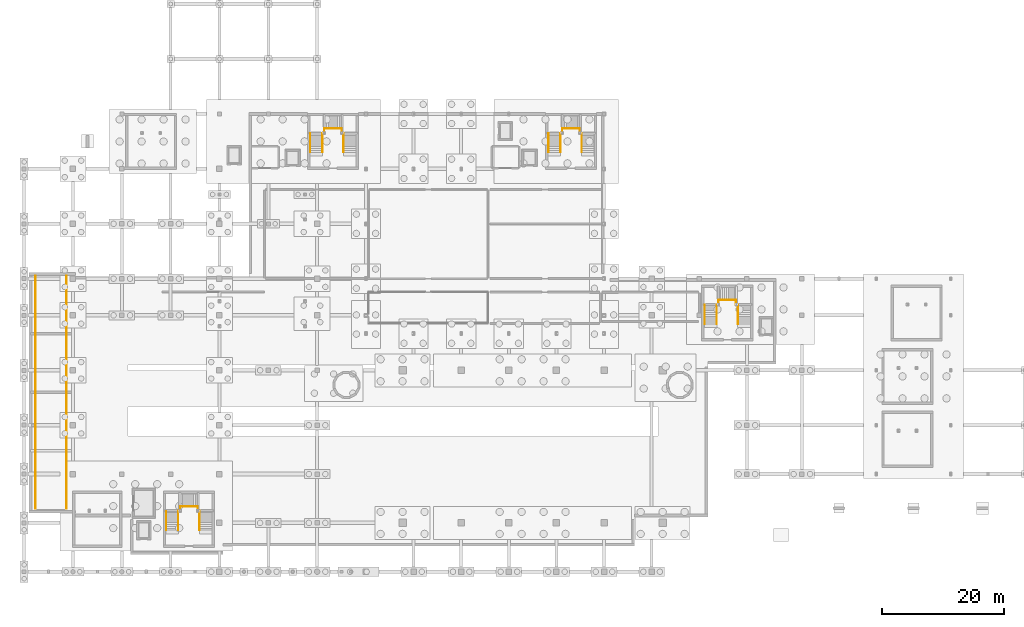
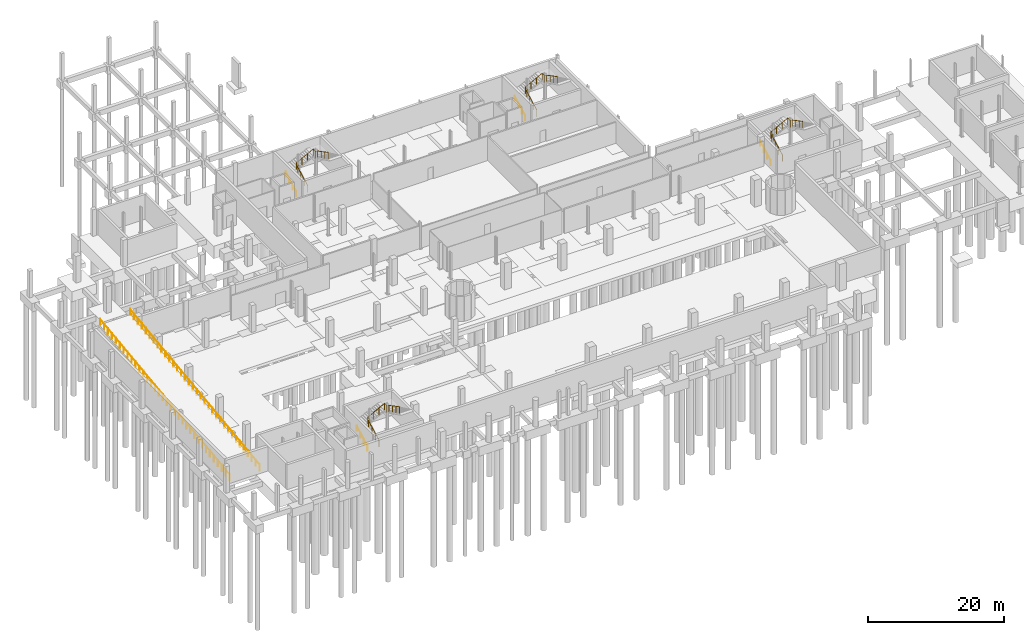
# One storey, part 31 of 32: 10 railings.
"""IFC4 building model written with IfcOpenShell, lengths in metres."""

from ifc_helpers import new_model, si_unit, derived_unit, direction, frame, origin, origin_2d, place, context, subcontext, project, spatial, circle, extrude, material, type_object, element, save


model = new_model("IFC4")

# Units and contexts
model_context = context("Model", 3, precision=1e-05, world=origin(), true_north=direction((0.0, 1.0)))
body_context = subcontext(model_context, "Body", "Model", "MODEL_VIEW")
ifc_project = project(units=[si_unit("LENGTHUNIT", "METRE"), si_unit("AREAUNIT", "SQUARE_METRE"), si_unit("VOLUMEUNIT", "CUBIC_METRE"), si_unit("PLANEANGLEUNIT", "RADIAN"), si_unit("MASSUNIT", "GRAM", prefix="KILO"), derived_unit("THERMALTRANSMITTANCEUNIT", [(si_unit("POWERUNIT", "WATT"), 1), (si_unit("LENGTHUNIT", "METRE"), -2), (si_unit("THERMODYNAMICTEMPERATUREUNIT", "KELVIN"), -1)])], contexts=[model_context])

# Site, building, storey
site_placement = place(None, origin())
site = spatial("IfcSite", under=ifc_project, at=site_placement, CompositionType="ELEMENT")
building_placement = place(site_placement, origin())
building = spatial("IfcBuilding", under=site, at=building_placement, Name="Nallur Shell Playhouse", CompositionType="ELEMENT")
storey_placement = place(building_placement, frame((0.0, 0.0, -4.800048828125)))
storey = spatial("IfcBuildingStorey", under=building, at=storey_placement, Name="B1", CompositionType="ELEMENT", Elevation=-4.800048828125)

# Railings
ifc_material_1 = material(Name="Brushed Stainless Steel 316 Balustrade & Toughened Infill", Category="steel")
railing_type_1 = type_object("IfcRailingType", Name="RL-GUARD-1100", PredefinedType="BALUSTRADE", material=ifc_material_1)
railing_1_placement = place(storey_placement, frame((9.85009765625, 18.300048828125, 0.0)))
element("IfcRailing", 1, at=railing_1_placement, inside=storey, type_object=railing_type_1, Name="Vehicular ramp wheel & drop guard W", PredefinedType="BALUSTRADE", context=body_context, shape_type="SweptSolid", body=[
    extrude(circle(Radius=0.02392578125, at=origin_2d()), frame((0.0, 0.0, 1.09619140625), z_axis=(0.0, 0.992197574866, 0.124675468434), x_axis=(-1.0, 0.0, 0.0)), (0.0, 0.0, 1.0), 38.500244140625),
    extrude(circle(Radius=0.02099609375, at=origin_2d()), origin(), (0.0, 0.0, 1.0), 1.072021484375),
    extrude(circle(Radius=0.02099609375, at=origin_2d()), frame((0.0, 1.157470703125, 0.1455078125)), (0.0, 0.0, 1.0), 1.072021484375),
    extrude(circle(Radius=0.02099609375, at=origin_2d()), frame((0.0, 2.315185546875, 0.291015625)), (0.0, 0.0, 1.0), 1.072021484375),
    extrude(circle(Radius=0.02099609375, at=origin_2d()), frame((0.0, 3.47265625, 0.436279296875)), (0.0, 0.0, 1.0), 1.072021484375),
    extrude(circle(Radius=0.02099609375, at=origin_2d()), frame((0.0, 4.63037109375, 0.581787109375)), (0.0, 0.0, 1.0), 1.072021484375),
    extrude(circle(Radius=0.02099609375, at=origin_2d()), frame((0.0, 5.787841796875, 0.727294921875)), (0.0, 0.0, 1.0), 1.072021484375),
    extrude(circle(Radius=0.02099609375, at=origin_2d()), frame((0.0, 6.945556640625, 0.872802734375)), (0.0, 0.0, 1.0), 1.072021484375),
    extrude(circle(Radius=0.02099609375, at=origin_2d()), frame((0.0, 8.10302734375, 1.018310546875)), (0.0, 0.0, 1.0), 1.072021484375),
    extrude(circle(Radius=0.02099609375, at=origin_2d()), frame((0.0, 9.260498046875, 1.16357421875)), (0.0, 0.0, 1.0), 1.072021484375),
    extrude(circle(Radius=0.02099609375, at=origin_2d()), frame((0.0, 10.418212890625, 1.30908203125)), (0.0, 0.0, 1.0), 1.072021484375),
    extrude(circle(Radius=0.02099609375, at=origin_2d()), frame((0.0, 11.57568359375, 1.45458984375)), (0.0, 0.0, 1.0), 1.072021484375),
    extrude(circle(Radius=0.02099609375, at=origin_2d()), frame((0.0, 12.7333984375, 1.60009765625)), (0.0, 0.0, 1.0), 1.072021484375),
    extrude(circle(Radius=0.02099609375, at=origin_2d()), frame((0.0, 13.890869140625, 1.745361328125)), (0.0, 0.0, 1.0), 1.072021484375),
    extrude(circle(Radius=0.02099609375, at=origin_2d()), frame((0.0, 15.048583984375, 1.890869140625)), (0.0, 0.0, 1.0), 1.072021484375),
    extrude(circle(Radius=0.02099609375, at=origin_2d()), frame((0.0, 16.2060546875, 2.036376953125)), (0.0, 0.0, 1.0), 1.072021484375),
    extrude(circle(Radius=0.02099609375, at=origin_2d()), frame((0.0, 17.363525390625, 2.181884765625)), (0.0, 0.0, 1.0), 1.072021484375),
    extrude(circle(Radius=0.02099609375, at=origin_2d()), frame((0.0, 18.521240234375, 2.327392578125)), (0.0, 0.0, 1.0), 1.072021484375),
    extrude(circle(Radius=0.02099609375, at=origin_2d()), frame((0.0, 19.6787109375, 2.47265625)), (0.0, 0.0, 1.0), 1.072021484375),
    extrude(circle(Radius=0.02099609375, at=origin_2d()), frame((0.0, 20.83642578125, 2.6181640625)), (0.0, 0.0, 1.0), 1.072021484375),
    extrude(circle(Radius=0.02099609375, at=origin_2d()), frame((0.0, 21.993896484375, 2.763671875)), (0.0, 0.0, 1.0), 1.072021484375),
    extrude(circle(Radius=0.02099609375, at=origin_2d()), frame((0.0, 23.1513671875, 2.9091796875)), (0.0, 0.0, 1.0), 1.072021484375),
    extrude(circle(Radius=0.02099609375, at=origin_2d()), frame((0.0, 24.30908203125, 3.0546875)), (0.0, 0.0, 1.0), 1.072021484375),
    extrude(circle(Radius=0.02099609375, at=origin_2d()), frame((0.0, 25.466552734375, 3.199951171875)), (0.0, 0.0, 1.0), 1.072021484375),
    extrude(circle(Radius=0.02099609375, at=origin_2d()), frame((0.0, 26.624267578125, 3.345458984375)), (0.0, 0.0, 1.0), 1.072021484375),
    extrude(circle(Radius=0.02099609375, at=origin_2d()), frame((0.0, 27.78173828125, 3.490966796875)), (0.0, 0.0, 1.0), 1.072021484375),
    extrude(circle(Radius=0.02099609375, at=origin_2d()), frame((0.0, 28.939453125, 3.636474609375)), (0.0, 0.0, 1.0), 1.072021484375),
    extrude(circle(Radius=0.02099609375, at=origin_2d()), frame((0.0, 30.096923828125, 3.78173828125)), (0.0, 0.0, 1.0), 1.072021484375),
    extrude(circle(Radius=0.02099609375, at=origin_2d()), frame((0.0, 31.25439453125, 3.92724609375)), (0.0, 0.0, 1.0), 1.072021484375),
    extrude(circle(Radius=0.02099609375, at=origin_2d()), frame((0.0, 32.412109375, 4.07275390625)), (0.0, 0.0, 1.0), 1.072021484375),
    extrude(circle(Radius=0.02099609375, at=origin_2d()), frame((0.0, 33.569580078125, 4.21826171875)), (0.0, 0.0, 1.0), 1.072021484375),
    extrude(circle(Radius=0.02099609375, at=origin_2d()), frame((0.0, 34.727294921875, 4.36376953125)), (0.0, 0.0, 1.0), 1.072021484375),
    extrude(circle(Radius=0.02099609375, at=origin_2d()), frame((0.0, 35.884765625, 4.509033203125)), (0.0, 0.0, 1.0), 1.072021484375),
    extrude(circle(Radius=0.02099609375, at=origin_2d()), frame((0.0, 37.04248046875, 4.654541015625)), (0.0, 0.0, 1.0), 1.072021484375),
    extrude(circle(Radius=0.02099609375, at=origin_2d()), frame((0.0, 38.199951171875, 4.800048828125)), (0.0, 0.0, 1.0), 1.072021484375),
])
railing_2_placement = place(storey_placement, frame((14.949951171875, 18.300048828125, 0.0)))
element("IfcRailing", 2, at=railing_2_placement, inside=storey, type_object=railing_type_1, Name="Vehicular ramp wheel & drop guard E", PredefinedType="BALUSTRADE", context=body_context, shape_type="SweptSolid", body=[
    extrude(circle(Radius=0.02392578125, at=origin_2d()), frame((0.0, 0.0, 1.09619140625), z_axis=(0.0, 0.992197574866, 0.124675468434), x_axis=(-1.0, 0.0, 0.0)), (0.0, 0.0, 1.0), 38.500244140625),
    extrude(circle(Radius=0.02099609375, at=origin_2d()), origin(), (0.0, 0.0, 1.0), 1.072021484375),
    extrude(circle(Radius=0.02099609375, at=origin_2d()), frame((0.0, 1.157470703125, 0.1455078125)), (0.0, 0.0, 1.0), 1.072021484375),
    extrude(circle(Radius=0.02099609375, at=origin_2d()), frame((0.0, 2.315185546875, 0.291015625)), (0.0, 0.0, 1.0), 1.072021484375),
    extrude(circle(Radius=0.02099609375, at=origin_2d()), frame((0.0, 3.47265625, 0.436279296875)), (0.0, 0.0, 1.0), 1.072021484375),
    extrude(circle(Radius=0.02099609375, at=origin_2d()), frame((0.0, 4.63037109375, 0.581787109375)), (0.0, 0.0, 1.0), 1.072021484375),
    extrude(circle(Radius=0.02099609375, at=origin_2d()), frame((0.0, 5.787841796875, 0.727294921875)), (0.0, 0.0, 1.0), 1.072021484375),
    extrude(circle(Radius=0.02099609375, at=origin_2d()), frame((0.0, 6.945556640625, 0.872802734375)), (0.0, 0.0, 1.0), 1.072021484375),
    extrude(circle(Radius=0.02099609375, at=origin_2d()), frame((0.0, 8.10302734375, 1.018310546875)), (0.0, 0.0, 1.0), 1.072021484375),
    extrude(circle(Radius=0.02099609375, at=origin_2d()), frame((0.0, 9.260498046875, 1.16357421875)), (0.0, 0.0, 1.0), 1.072021484375),
    extrude(circle(Radius=0.02099609375, at=origin_2d()), frame((0.0, 10.418212890625, 1.30908203125)), (0.0, 0.0, 1.0), 1.072021484375),
    extrude(circle(Radius=0.02099609375, at=origin_2d()), frame((0.0, 11.57568359375, 1.45458984375)), (0.0, 0.0, 1.0), 1.072021484375),
    extrude(circle(Radius=0.02099609375, at=origin_2d()), frame((0.0, 12.7333984375, 1.60009765625)), (0.0, 0.0, 1.0), 1.072021484375),
    extrude(circle(Radius=0.02099609375, at=origin_2d()), frame((0.0, 13.890869140625, 1.745361328125)), (0.0, 0.0, 1.0), 1.072021484375),
    extrude(circle(Radius=0.02099609375, at=origin_2d()), frame((0.0, 15.048583984375, 1.890869140625)), (0.0, 0.0, 1.0), 1.072021484375),
    extrude(circle(Radius=0.02099609375, at=origin_2d()), frame((0.0, 16.2060546875, 2.036376953125)), (0.0, 0.0, 1.0), 1.072021484375),
    extrude(circle(Radius=0.02099609375, at=origin_2d()), frame((0.0, 17.363525390625, 2.181884765625)), (0.0, 0.0, 1.0), 1.072021484375),
    extrude(circle(Radius=0.02099609375, at=origin_2d()), frame((0.0, 18.521240234375, 2.327392578125)), (0.0, 0.0, 1.0), 1.072021484375),
    extrude(circle(Radius=0.02099609375, at=origin_2d()), frame((0.0, 19.6787109375, 2.47265625)), (0.0, 0.0, 1.0), 1.072021484375),
    extrude(circle(Radius=0.02099609375, at=origin_2d()), frame((0.0, 20.83642578125, 2.6181640625)), (0.0, 0.0, 1.0), 1.072021484375),
    extrude(circle(Radius=0.02099609375, at=origin_2d()), frame((0.0, 21.993896484375, 2.763671875)), (0.0, 0.0, 1.0), 1.072021484375),
    extrude(circle(Radius=0.02099609375, at=origin_2d()), frame((0.0, 23.1513671875, 2.9091796875)), (0.0, 0.0, 1.0), 1.072021484375),
    extrude(circle(Radius=0.02099609375, at=origin_2d()), frame((0.0, 24.30908203125, 3.0546875)), (0.0, 0.0, 1.0), 1.072021484375),
    extrude(circle(Radius=0.02099609375, at=origin_2d()), frame((0.0, 25.466552734375, 3.199951171875)), (0.0, 0.0, 1.0), 1.072021484375),
    extrude(circle(Radius=0.02099609375, at=origin_2d()), frame((0.0, 26.624267578125, 3.345458984375)), (0.0, 0.0, 1.0), 1.072021484375),
    extrude(circle(Radius=0.02099609375, at=origin_2d()), frame((0.0, 27.78173828125, 3.490966796875)), (0.0, 0.0, 1.0), 1.072021484375),
    extrude(circle(Radius=0.02099609375, at=origin_2d()), frame((0.0, 28.939453125, 3.636474609375)), (0.0, 0.0, 1.0), 1.072021484375),
    extrude(circle(Radius=0.02099609375, at=origin_2d()), frame((0.0, 30.096923828125, 3.78173828125)), (0.0, 0.0, 1.0), 1.072021484375),
    extrude(circle(Radius=0.02099609375, at=origin_2d()), frame((0.0, 31.25439453125, 3.92724609375)), (0.0, 0.0, 1.0), 1.072021484375),
    extrude(circle(Radius=0.02099609375, at=origin_2d()), frame((0.0, 32.412109375, 4.07275390625)), (0.0, 0.0, 1.0), 1.072021484375),
    extrude(circle(Radius=0.02099609375, at=origin_2d()), frame((0.0, 33.569580078125, 4.21826171875)), (0.0, 0.0, 1.0), 1.072021484375),
    extrude(circle(Radius=0.02099609375, at=origin_2d()), frame((0.0, 34.727294921875, 4.36376953125)), (0.0, 0.0, 1.0), 1.072021484375),
    extrude(circle(Radius=0.02099609375, at=origin_2d()), frame((0.0, 35.884765625, 4.509033203125)), (0.0, 0.0, 1.0), 1.072021484375),
    extrude(circle(Radius=0.02099609375, at=origin_2d()), frame((0.0, 37.04248046875, 4.654541015625)), (0.0, 0.0, 1.0), 1.072021484375),
    extrude(circle(Radius=0.02099609375, at=origin_2d()), frame((0.0, 38.199951171875, 4.800048828125)), (0.0, 0.0, 1.0), 1.072021484375),
])
railing_3_placement = place(storey_placement, frame((33.260009765625, 14.800048828125, 0.0)))
element("IfcRailing", 3, at=railing_3_placement, inside=storey, type_object=railing_type_1, Name="Stair ST-01-B1 inner open-well guard", PredefinedType="BALUSTRADE", context=body_context, shape_type="SweptSolid", body=[
    extrude(circle(Radius=0.02392578125, at=origin_2d()), frame((0.0, 0.0, 1.15576171875), z_axis=(0.0, 0.885200240898, 0.465210203579), x_axis=(-1.0, 0.0, 0.0)), (0.0, 0.0, 1.0), 3.547119140625),
    extrude(circle(Radius=0.02392578125, at=origin_2d()), frame((0.0, 3.139892578125, 2.80615234375), z_axis=(1.0, 0.0, 0.0), x_axis=(0.0, 1.0, 0.0)), (0.0, 0.0, 1.0), 0.304931640625),
    extrude(circle(Radius=0.02392578125, at=origin_2d()), frame((0.304931640625, 3.139892578125, 2.80615234375), z_axis=(0.0, 1.0, 0.0), x_axis=(-1.0, 0.0, 0.0)), (0.0, 0.0, 1.0), 0.760009765625),
    extrude(circle(Radius=0.02392578125, at=origin_2d()), frame((0.304931640625, 3.89990234375, 2.80615234375), z_axis=(0.886262018935, 0.0, 0.463184233101), x_axis=(0.0, 1.0, 0.0)), (0.0, 0.0, 1.0), 3.238525390625),
    extrude(circle(Radius=0.02392578125, at=origin_2d()), frame((3.175048828125, 3.89990234375, 4.30615234375), z_axis=(0.0, -1.0, 0.0), x_axis=(1.0, 0.0, 0.0)), (0.0, 0.0, 1.0), 0.760009765625),
    extrude(circle(Radius=0.02392578125, at=origin_2d()), frame((3.175048828125, 3.139892578125, 4.30615234375), z_axis=(1.0, 0.0, 0.0), x_axis=(0.0, 1.0, 0.0)), (0.0, 0.0, 1.0), 0.304931640625),
    extrude(circle(Radius=0.02392578125, at=origin_2d()), frame((3.47998046875, 3.139892578125, 4.30615234375), z_axis=(0.0, -0.885228583928, 0.465156268578), x_axis=(1.0, 0.0, 0.0)), (0.0, 0.0, 1.0), 3.546875),
    extrude(circle(Radius=0.02099609375, at=origin_2d()), origin(), (0.0, 0.0, 1.0), 1.1318359375),
    extrude(circle(Radius=0.02099609375, at=origin_2d()), frame((0.0, 1.046630859375, 0.550048828125)), (0.0, 0.0, 1.0), 1.1318359375),
    extrude(circle(Radius=0.02099609375, at=origin_2d()), frame((0.0, 2.09326171875, 1.10009765625)), (0.0, 0.0, 1.0), 1.1318359375),
    extrude(circle(Radius=0.02099609375, at=origin_2d()), frame((0.0, 3.139892578125, 1.650146484375)), (0.0, 0.0, 1.0), 1.1318359375),
    extrude(circle(Radius=0.02099609375, at=origin_2d()), frame((0.304931640625, 3.139892578125, 1.650146484375)), (0.0, 0.0, 1.0), 1.1318359375),
    extrude(circle(Radius=0.02099609375, at=origin_2d()), frame((0.304931640625, 3.89990234375, 1.650146484375)), (0.0, 0.0, 1.0), 1.1318359375),
    extrude(circle(Radius=0.02099609375, at=origin_2d()), frame((1.26171875, 3.89990234375, 2.150146484375)), (0.0, 0.0, 1.0), 1.1318359375),
    extrude(circle(Radius=0.02099609375, at=origin_2d()), frame((2.21826171875, 3.89990234375, 2.650146484375)), (0.0, 0.0, 1.0), 1.1318359375),
    extrude(circle(Radius=0.02099609375, at=origin_2d()), frame((3.175048828125, 3.89990234375, 3.150146484375)), (0.0, 0.0, 1.0), 1.1318359375),
    extrude(circle(Radius=0.02099609375, at=origin_2d()), frame((3.175048828125, 3.139892578125, 3.150146484375)), (0.0, 0.0, 1.0), 1.1318359375),
    extrude(circle(Radius=0.02099609375, at=origin_2d()), frame((3.47998046875, 3.139892578125, 3.150146484375)), (0.0, 0.0, 1.0), 1.1318359375),
    extrude(circle(Radius=0.02099609375, at=origin_2d()), frame((3.47998046875, 2.09326171875, 3.7001953125)), (0.0, 0.0, 1.0), 1.1318359375),
    extrude(circle(Radius=0.02099609375, at=origin_2d()), frame((3.47998046875, 1.046630859375, 4.25)), (0.0, 0.0, 1.0), 1.1318359375),
    extrude(circle(Radius=0.02099609375, at=origin_2d()), frame((3.47998046875, 0.0, 4.800048828125)), (0.0, 0.0, 1.0), 1.1318359375),
])
railing_4_placement = place(storey_placement, frame((121.4599609375, 48.60009765625, 0.0)))
element("IfcRailing", 4, at=railing_4_placement, inside=storey, type_object=railing_type_1, Name="Stair ST-02-B1 inner open-well guard", PredefinedType="BALUSTRADE", context=body_context, shape_type="SweptSolid", body=[
    extrude(circle(Radius=0.02392578125, at=origin_2d()), frame((0.0, 0.0, 1.15576171875), z_axis=(0.0, 0.885200240898, 0.465210203579), x_axis=(-1.0, 0.0, 0.0)), (0.0, 0.0, 1.0), 3.547119140625),
    extrude(circle(Radius=0.02392578125, at=origin_2d()), frame((0.0, 3.139892578125, 2.80615234375), z_axis=(1.0, 0.0, 0.0), x_axis=(0.0, 1.0, 0.0)), (0.0, 0.0, 1.0), 0.304931640625),
    extrude(circle(Radius=0.02392578125, at=origin_2d()), frame((0.304931640625, 3.139892578125, 2.80615234375), z_axis=(0.0, 1.0, 0.0), x_axis=(-1.0, 0.0, 0.0)), (0.0, 0.0, 1.0), 0.760009765625),
    extrude(circle(Radius=0.02392578125, at=origin_2d()), frame((0.304931640625, 3.89990234375, 2.80615234375), z_axis=(0.886262018935, 0.0, 0.463184233101), x_axis=(0.0, 1.0, 0.0)), (0.0, 0.0, 1.0), 3.238525390625),
    extrude(circle(Radius=0.02392578125, at=origin_2d()), frame((3.175048828125, 3.89990234375, 4.30615234375), z_axis=(0.0, -1.0, 0.0), x_axis=(1.0, 0.0, 0.0)), (0.0, 0.0, 1.0), 0.760009765625),
    extrude(circle(Radius=0.02392578125, at=origin_2d()), frame((3.175048828125, 3.139892578125, 4.30615234375), z_axis=(1.0, 0.0, 0.0), x_axis=(0.0, 1.0, 0.0)), (0.0, 0.0, 1.0), 0.304931640625),
    extrude(circle(Radius=0.02392578125, at=origin_2d()), frame((3.47998046875, 3.139892578125, 4.30615234375), z_axis=(0.0, -0.885228583928, 0.465156268578), x_axis=(1.0, 0.0, 0.0)), (0.0, 0.0, 1.0), 3.546875),
    extrude(circle(Radius=0.02099609375, at=origin_2d()), origin(), (0.0, 0.0, 1.0), 1.1318359375),
    extrude(circle(Radius=0.02099609375, at=origin_2d()), frame((0.0, 1.046630859375, 0.550048828125)), (0.0, 0.0, 1.0), 1.1318359375),
    extrude(circle(Radius=0.02099609375, at=origin_2d()), frame((0.0, 2.09326171875, 1.10009765625)), (0.0, 0.0, 1.0), 1.1318359375),
    extrude(circle(Radius=0.02099609375, at=origin_2d()), frame((0.0, 3.139892578125, 1.650146484375)), (0.0, 0.0, 1.0), 1.1318359375),
    extrude(circle(Radius=0.02099609375, at=origin_2d()), frame((0.304931640625, 3.139892578125, 1.650146484375)), (0.0, 0.0, 1.0), 1.1318359375),
    extrude(circle(Radius=0.02099609375, at=origin_2d()), frame((0.304931640625, 3.89990234375, 1.650146484375)), (0.0, 0.0, 1.0), 1.1318359375),
    extrude(circle(Radius=0.02099609375, at=origin_2d()), frame((1.26171875, 3.89990234375, 2.150146484375)), (0.0, 0.0, 1.0), 1.1318359375),
    extrude(circle(Radius=0.02099609375, at=origin_2d()), frame((2.21826171875, 3.89990234375, 2.650146484375)), (0.0, 0.0, 1.0), 1.1318359375),
    extrude(circle(Radius=0.02099609375, at=origin_2d()), frame((3.175048828125, 3.89990234375, 3.150146484375)), (0.0, 0.0, 1.0), 1.1318359375),
    extrude(circle(Radius=0.02099609375, at=origin_2d()), frame((3.175048828125, 3.139892578125, 3.150146484375)), (0.0, 0.0, 1.0), 1.1318359375),
    extrude(circle(Radius=0.02099609375, at=origin_2d()), frame((3.47998046875, 3.139892578125, 3.150146484375)), (0.0, 0.0, 1.0), 1.1318359375),
    extrude(circle(Radius=0.02099609375, at=origin_2d()), frame((3.47998046875, 2.09326171875, 3.7001953125)), (0.0, 0.0, 1.0), 1.1318359375),
    extrude(circle(Radius=0.02099609375, at=origin_2d()), frame((3.47998046875, 1.046630859375, 4.25)), (0.0, 0.0, 1.0), 1.1318359375),
    extrude(circle(Radius=0.02099609375, at=origin_2d()), frame((3.47998046875, 0.0, 4.800048828125)), (0.0, 0.0, 1.0), 1.1318359375),
])
railing_5_placement = place(storey_placement, frame((56.860107421875, 76.699951171875, 0.0)))
element("IfcRailing", 5, at=railing_5_placement, inside=storey, type_object=railing_type_1, Name="Stair ST-03-B1 inner open-well guard", PredefinedType="BALUSTRADE", context=body_context, shape_type="SweptSolid", body=[
    extrude(circle(Radius=0.02392578125, at=origin_2d()), frame((0.0, 0.0, 1.15576171875), z_axis=(0.0, 0.885215135385, 0.465181861302), x_axis=(-1.0, 0.0, 0.0)), (0.0, 0.0, 1.0), 3.54736328125),
    extrude(circle(Radius=0.02392578125, at=origin_2d()), frame((0.0, 3.14013671875, 2.80615234375), z_axis=(1.0, 0.0, 0.0), x_axis=(0.0, 1.0, 0.0)), (0.0, 0.0, 1.0), 0.304931640625),
    extrude(circle(Radius=0.02392578125, at=origin_2d()), frame((0.304931640625, 3.14013671875, 2.80615234375), z_axis=(0.0, 1.0, 0.0), x_axis=(-1.0, 0.0, 0.0)), (0.0, 0.0, 1.0), 0.760009765625),
    extrude(circle(Radius=0.02392578125, at=origin_2d()), frame((0.304931640625, 3.900146484375, 2.80615234375), z_axis=(0.886245843587, 0.0, 0.46321518188), x_axis=(0.0, 1.0, 0.0)), (0.0, 0.0, 1.0), 3.23828125),
    extrude(circle(Radius=0.02392578125, at=origin_2d()), frame((3.1748046875, 3.900146484375, 4.30615234375), z_axis=(0.0, -1.0, 0.0), x_axis=(1.0, 0.0, 0.0)), (0.0, 0.0, 1.0), 0.760009765625),
    extrude(circle(Radius=0.02392578125, at=origin_2d()), frame((3.1748046875, 3.14013671875, 4.30615234375), z_axis=(1.0, 0.0, 0.0), x_axis=(0.0, 1.0, 0.0)), (0.0, 0.0, 1.0), 0.30517578125),
    extrude(circle(Radius=0.02392578125, at=origin_2d()), frame((3.47998046875, 3.14013671875, 4.30615234375), z_axis=(0.0, -0.885243475438, 0.465127927773), x_axis=(1.0, 0.0, 0.0)), (0.0, 0.0, 1.0), 3.547119140625),
    extrude(circle(Radius=0.02099609375, at=origin_2d()), origin(), (0.0, 0.0, 1.0), 1.1318359375),
    extrude(circle(Radius=0.02099609375, at=origin_2d()), frame((0.0, 1.046630859375, 0.550048828125)), (0.0, 0.0, 1.0), 1.1318359375),
    extrude(circle(Radius=0.02099609375, at=origin_2d()), frame((0.0, 2.093505859375, 1.10009765625)), (0.0, 0.0, 1.0), 1.1318359375),
    extrude(circle(Radius=0.02099609375, at=origin_2d()), frame((0.0, 3.14013671875, 1.650146484375)), (0.0, 0.0, 1.0), 1.1318359375),
    extrude(circle(Radius=0.02099609375, at=origin_2d()), frame((0.304931640625, 3.14013671875, 1.650146484375)), (0.0, 0.0, 1.0), 1.1318359375),
    extrude(circle(Radius=0.02099609375, at=origin_2d()), frame((0.304931640625, 3.900146484375, 1.650146484375)), (0.0, 0.0, 1.0), 1.1318359375),
    extrude(circle(Radius=0.02099609375, at=origin_2d()), frame((1.261474609375, 3.900146484375, 2.150146484375)), (0.0, 0.0, 1.0), 1.1318359375),
    extrude(circle(Radius=0.02099609375, at=origin_2d()), frame((2.21826171875, 3.900146484375, 2.650146484375)), (0.0, 0.0, 1.0), 1.1318359375),
    extrude(circle(Radius=0.02099609375, at=origin_2d()), frame((3.1748046875, 3.900146484375, 3.150146484375)), (0.0, 0.0, 1.0), 1.1318359375),
    extrude(circle(Radius=0.02099609375, at=origin_2d()), frame((3.1748046875, 3.14013671875, 3.150146484375)), (0.0, 0.0, 1.0), 1.1318359375),
    extrude(circle(Radius=0.02099609375, at=origin_2d()), frame((3.47998046875, 3.14013671875, 3.150146484375)), (0.0, 0.0, 1.0), 1.1318359375),
    extrude(circle(Radius=0.02099609375, at=origin_2d()), frame((3.47998046875, 2.093505859375, 3.7001953125)), (0.0, 0.0, 1.0), 1.1318359375),
    extrude(circle(Radius=0.02099609375, at=origin_2d()), frame((3.47998046875, 1.046630859375, 4.25)), (0.0, 0.0, 1.0), 1.1318359375),
    extrude(circle(Radius=0.02099609375, at=origin_2d()), frame((3.47998046875, 0.0, 4.800048828125)), (0.0, 0.0, 1.0), 1.1318359375),
])
railing_6_placement = place(storey_placement, frame((95.860107421875, 76.699951171875, 0.0)))
element("IfcRailing", 6, at=railing_6_placement, inside=storey, type_object=railing_type_1, Name="Stair ST-04-B1 inner open-well guard", PredefinedType="BALUSTRADE", context=body_context, shape_type="SweptSolid", body=[
    extrude(circle(Radius=0.02392578125, at=origin_2d()), frame((0.0, 0.0, 1.15576171875), z_axis=(0.0, 0.885215135385, 0.465181861302), x_axis=(-1.0, 0.0, 0.0)), (0.0, 0.0, 1.0), 3.54736328125),
    extrude(circle(Radius=0.02392578125, at=origin_2d()), frame((0.0, 3.14013671875, 2.80615234375), z_axis=(1.0, 0.0, 0.0), x_axis=(0.0, 1.0, 0.0)), (0.0, 0.0, 1.0), 0.304931640625),
    extrude(circle(Radius=0.02392578125, at=origin_2d()), frame((0.304931640625, 3.14013671875, 2.80615234375), z_axis=(0.0, 1.0, 0.0), x_axis=(-1.0, 0.0, 0.0)), (0.0, 0.0, 1.0), 0.760009765625),
    extrude(circle(Radius=0.02392578125, at=origin_2d()), frame((0.304931640625, 3.900146484375, 2.80615234375), z_axis=(0.886245843587, 0.0, 0.46321518188), x_axis=(0.0, 1.0, 0.0)), (0.0, 0.0, 1.0), 3.23828125),
    extrude(circle(Radius=0.02392578125, at=origin_2d()), frame((3.1748046875, 3.900146484375, 4.30615234375), z_axis=(0.0, -1.0, 0.0), x_axis=(1.0, 0.0, 0.0)), (0.0, 0.0, 1.0), 0.760009765625),
    extrude(circle(Radius=0.02392578125, at=origin_2d()), frame((3.1748046875, 3.14013671875, 4.30615234375), z_axis=(1.0, 0.0, 0.0), x_axis=(0.0, 1.0, 0.0)), (0.0, 0.0, 1.0), 0.30517578125),
    extrude(circle(Radius=0.02392578125, at=origin_2d()), frame((3.47998046875, 3.14013671875, 4.30615234375), z_axis=(0.0, -0.885243475438, 0.465127927773), x_axis=(1.0, 0.0, 0.0)), (0.0, 0.0, 1.0), 3.547119140625),
    extrude(circle(Radius=0.02099609375, at=origin_2d()), origin(), (0.0, 0.0, 1.0), 1.1318359375),
    extrude(circle(Radius=0.02099609375, at=origin_2d()), frame((0.0, 1.046630859375, 0.550048828125)), (0.0, 0.0, 1.0), 1.1318359375),
    extrude(circle(Radius=0.02099609375, at=origin_2d()), frame((0.0, 2.093505859375, 1.10009765625)), (0.0, 0.0, 1.0), 1.1318359375),
    extrude(circle(Radius=0.02099609375, at=origin_2d()), frame((0.0, 3.14013671875, 1.650146484375)), (0.0, 0.0, 1.0), 1.1318359375),
    extrude(circle(Radius=0.02099609375, at=origin_2d()), frame((0.304931640625, 3.14013671875, 1.650146484375)), (0.0, 0.0, 1.0), 1.1318359375),
    extrude(circle(Radius=0.02099609375, at=origin_2d()), frame((0.304931640625, 3.900146484375, 1.650146484375)), (0.0, 0.0, 1.0), 1.1318359375),
    extrude(circle(Radius=0.02099609375, at=origin_2d()), frame((1.261474609375, 3.900146484375, 2.150146484375)), (0.0, 0.0, 1.0), 1.1318359375),
    extrude(circle(Radius=0.02099609375, at=origin_2d()), frame((2.21826171875, 3.900146484375, 2.650146484375)), (0.0, 0.0, 1.0), 1.1318359375),
    extrude(circle(Radius=0.02099609375, at=origin_2d()), frame((3.1748046875, 3.900146484375, 3.150146484375)), (0.0, 0.0, 1.0), 1.1318359375),
    extrude(circle(Radius=0.02099609375, at=origin_2d()), frame((3.1748046875, 3.14013671875, 3.150146484375)), (0.0, 0.0, 1.0), 1.1318359375),
    extrude(circle(Radius=0.02099609375, at=origin_2d()), frame((3.47998046875, 3.14013671875, 3.150146484375)), (0.0, 0.0, 1.0), 1.1318359375),
    extrude(circle(Radius=0.02099609375, at=origin_2d()), frame((3.47998046875, 2.093505859375, 3.7001953125)), (0.0, 0.0, 1.0), 1.1318359375),
    extrude(circle(Radius=0.02099609375, at=origin_2d()), frame((3.47998046875, 1.046630859375, 4.25)), (0.0, 0.0, 1.0), 1.1318359375),
    extrude(circle(Radius=0.02099609375, at=origin_2d()), frame((3.47998046875, 0.0, 4.800048828125)), (0.0, 0.0, 1.0), 1.1318359375),
])
ifc_material_2 = material(Name="Stainless Steel 316 Continuous Tubular Handrail", Category="steel")
railing_type_2 = type_object("IfcRailingType", Name="RL-HANDRAIL-900", PredefinedType="HANDRAIL", material=ifc_material_2)
for number, where, name in (
    (7, (31.280029296875, 14.800048828125, 0.0), "Stair ST-01-B1 outer handrail F1"),
    (8, (119.47998046875, 48.60009765625, 0.0), "Stair ST-02-B1 outer handrail F1"),
):
    element("IfcRailing", number, at=place(storey_placement, frame(where)), inside=storey, type_object=railing_type_2, Name=name, PredefinedType="HANDRAIL", context=body_context, shape_type="SweptSolid", body=[
        extrude(circle(Radius=0.02392578125, at=origin_2d()), frame((0.0, 0.0, 0.89599609375), z_axis=(0.0, 0.882720248289, 0.469898886208), x_axis=(-1.0, 0.0, 0.0)), (0.0, 0.0, 1.0), 3.51171875),
        extrude(circle(Radius=0.02099609375, at=origin_2d()), origin(), (0.0, 0.0, 1.0), 0.871826171875),
        extrude(circle(Radius=0.02099609375, at=origin_2d()), frame((0.0, 1.033203125, 0.550048828125)), (0.0, 0.0, 1.0), 0.871826171875),
        extrude(circle(Radius=0.02099609375, at=origin_2d()), frame((0.0, 2.066650390625, 1.10009765625)), (0.0, 0.0, 1.0), 0.871826171875),
        extrude(circle(Radius=0.02099609375, at=origin_2d()), frame((0.0, 3.099853515625, 1.650146484375)), (0.0, 0.0, 1.0), 0.871826171875),
    ])
for number, where, name in (
    (9, (54.8798828125, 76.699951171875, 0.0), "Stair ST-03-B1 outer handrail F1"),
    (10, (93.8798828125, 76.699951171875, 0.0), "Stair ST-04-B1 outer handrail F1"),
):
    element("IfcRailing", number, at=place(storey_placement, frame(where)), inside=storey, type_object=railing_type_2, Name=name, PredefinedType="HANDRAIL", context=body_context, shape_type="SweptSolid", body=[
        extrude(circle(Radius=0.02392578125, at=origin_2d()), frame((0.0, 0.0, 0.89599609375), z_axis=(0.0, 0.882735597669, 0.469870050767), x_axis=(-1.0, 0.0, 0.0)), (0.0, 0.0, 1.0), 3.511962890625),
        extrude(circle(Radius=0.02099609375, at=origin_2d()), origin(), (0.0, 0.0, 1.0), 0.871826171875),
        extrude(circle(Radius=0.02099609375, at=origin_2d()), frame((0.0, 1.033447265625, 0.550048828125)), (0.0, 0.0, 1.0), 0.871826171875),
        extrude(circle(Radius=0.02099609375, at=origin_2d()), frame((0.0, 2.066650390625, 1.10009765625)), (0.0, 0.0, 1.0), 0.871826171875),
        extrude(circle(Radius=0.02099609375, at=origin_2d()), frame((0.0, 3.10009765625, 1.650146484375)), (0.0, 0.0, 1.0), 0.871826171875),
    ])

save(model, "model.ifc")
